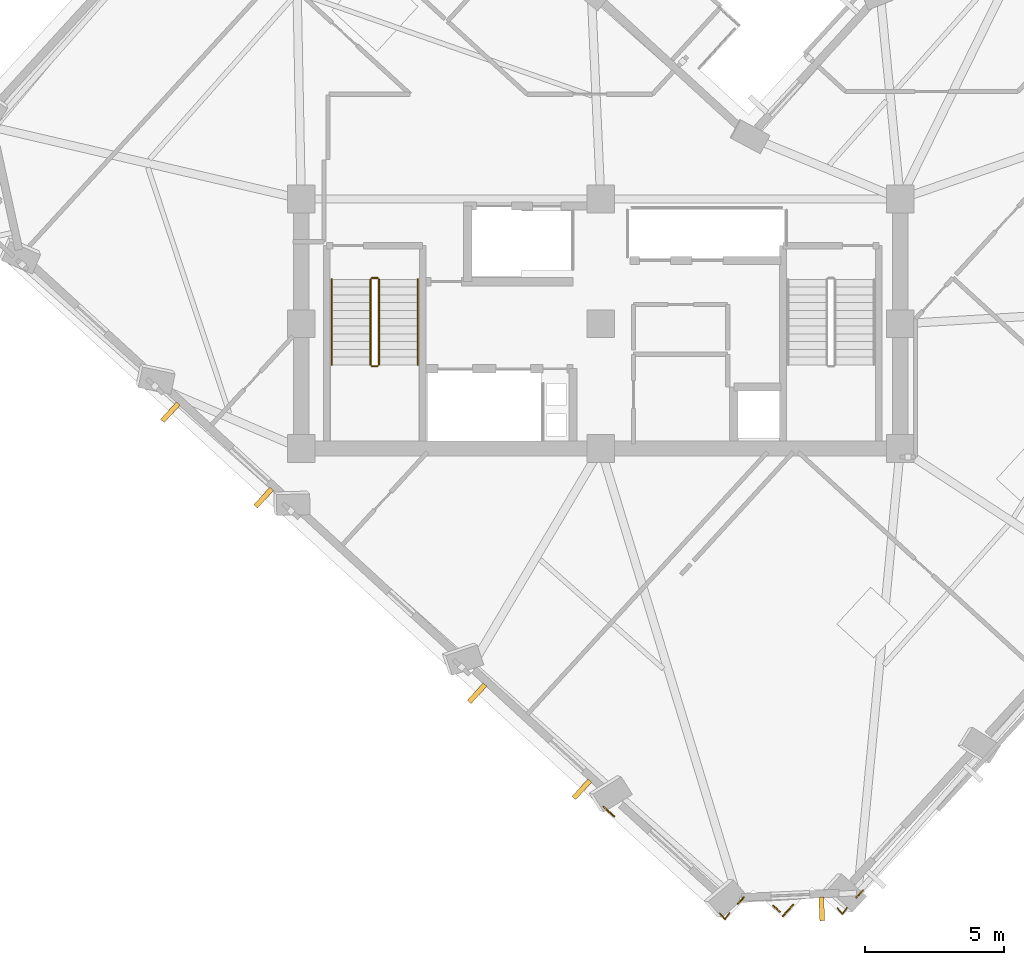
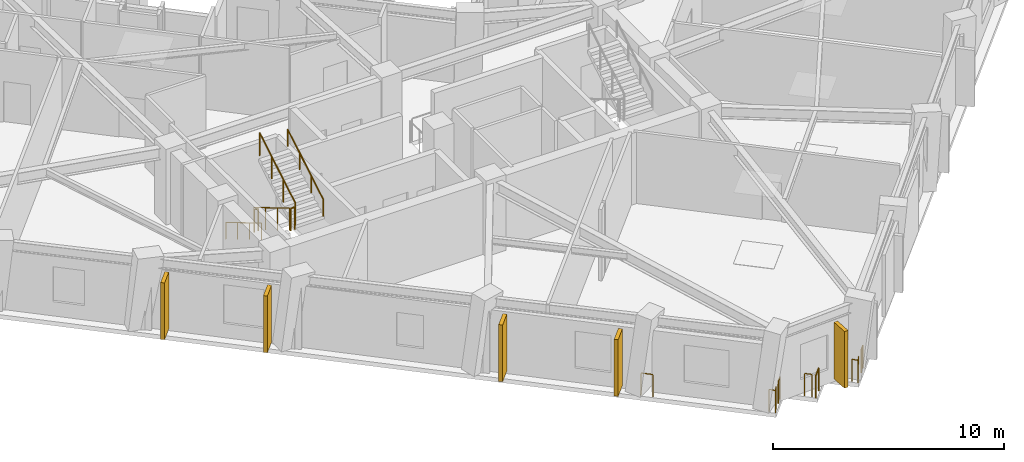
# One storey, part 9 of 12: 13 railings, 5 shading devices.
"""IFC4 building model written with IfcOpenShell, lengths in metres."""

from ifc_helpers import new_model, si_unit, direction, frame, origin, origin_2d, place, context, subcontext, project, spatial, rectangle, circle, extrude, material, layer, layer_set, type_object, element, save


model = new_model("IFC4")

# Units and contexts
model_context = context("Model", 3, precision=1e-05, world=origin(), true_north=direction((0.0, 1.0)))
body_context = subcontext(model_context, "Body", "Model", "MODEL_VIEW")
ifc_project = project(units=[si_unit("LENGTHUNIT", "METRE"), si_unit("AREAUNIT", "SQUARE_METRE"), si_unit("VOLUMEUNIT", "CUBIC_METRE"), si_unit("PLANEANGLEUNIT", "RADIAN"), si_unit("MASSUNIT", "GRAM", prefix="KILO")], contexts=[model_context])

# Site, building, storey
site_placement = place(None, origin())
site = spatial("IfcSite", under=ifc_project, at=site_placement, CompositionType="ELEMENT")
building_placement = place(site_placement, origin())
building = spatial("IfcBuilding", under=site, at=building_placement, Name="Gaonmaruhae Medical Tower", CompositionType="ELEMENT")
storey_placement = place(building_placement, frame((0.0, 0.0, 227.199951171875)))
storey = spatial("IfcBuildingStorey", under=building, at=storey_placement, Name="L54", CompositionType="ELEMENT", Elevation=227.199951171875)

# Railings
ifc_material_1 = material(Name="Stainless steel 316L and laminated safety glass", Category="steel")
ifc_layer = layer(ifc_material_1, 0.080078125)
ifc_layer_set = layer_set([ifc_layer], Name="Stainless steel 316L and laminated safety glass")
railing_type_1 = type_object("IfcRailingType", Name="GD-120 Outdoor Terrace Safety Glass & Steel Balustrade", PredefinedType="BALUSTRADE", material=ifc_layer_set)
railing_1_placement = place(storey_placement, frame((34.25146484375, -8.1337890625, 0.0)))
element("IfcRailing", 1, at=railing_1_placement, inside=storey, type_object=railing_type_1, Name="L54 Perimeter Slab Edge Safety Balustrade 03", PredefinedType="BALUSTRADE", context=body_context, shape_type="SweptSolid", body=[
    extrude(circle(Radius=0.02392578125, at=origin_2d()), frame((0.0, 0.0, 1.17578125), z_axis=(-0.675529349441, -0.737333098432, 0.0), x_axis=(0.737333098432, -0.675529349441, 0.0)), (0.0, 0.0, 1.0), 0.33984375),
    extrude(circle(Radius=0.02099609375, at=origin_2d()), origin(), (0.0, 0.0, 1.0), 1.15185546875),
    extrude(circle(Radius=0.02099609375, at=origin_2d()), frame((-0.2294921875, -0.25048828125, 0.0)), (0.0, 0.0, 1.0), 1.15185546875),
])
railing_2_placement = place(storey_placement, frame((31.7412109375, -8.653076171875, 0.0)))
element("IfcRailing", 2, at=railing_2_placement, inside=storey, type_object=railing_type_1, Name="L54 Perimeter Slab Edge Safety Balustrade 04", PredefinedType="BALUSTRADE", context=body_context, shape_type="SweptSolid", body=[
    extrude(circle(Radius=0.02392578125, at=origin_2d()), frame((0.0, 0.0, 1.17578125), z_axis=(-0.675704887658, -0.737172235502, 0.0), x_axis=(0.737172235502, -0.675704887658, 0.0)), (0.0, 0.0, 1.0), 0.56005859375),
    extrude(circle(Radius=0.02099609375, at=origin_2d()), origin(), (0.0, 0.0, 1.0), 1.15185546875),
    extrude(circle(Radius=0.02099609375, at=origin_2d()), frame((-0.37841796875, -0.412841796875, 0.0)), (0.0, 0.0, 1.0), 1.15185546875),
])
railing_3_placement = place(storey_placement, frame((31.261474609375, -8.905029296875, 0.0)))
element("IfcRailing", 3, at=railing_3_placement, inside=storey, type_object=railing_type_1, Name="L54 Perimeter Slab Edge Safety Balustrade 05", PredefinedType="BALUSTRADE", context=body_context, shape_type="SweptSolid", body=[
    extrude(circle(Radius=0.02392578125, at=origin_2d()), frame((0.0, 0.0, 1.17578125), z_axis=(-0.737433199816, 0.67542007359, 0.0), x_axis=(-0.67542007359, -0.737433199816, 0.0)), (0.0, 0.0, 1.0), 0.32666015625),
    extrude(circle(Radius=0.02099609375, at=origin_2d()), origin(), (0.0, 0.0, 1.0), 1.15185546875),
    extrude(circle(Radius=0.02099609375, at=origin_2d()), frame((-0.240966796875, 0.220703125, 0.0)), (0.0, 0.0, 1.0), 1.15185546875),
])
railing_4_placement = place(storey_placement, frame((29.959716796875, -8.376953125, 0.0)))
element("IfcRailing", 4, at=railing_4_placement, inside=storey, type_object=railing_type_1, Name="L54 Perimeter Slab Edge Safety Balustrade 06", PredefinedType="BALUSTRADE", context=body_context, shape_type="SweptSolid", body=[
    extrude(circle(Radius=0.02392578125, at=origin_2d()), frame((0.0, 0.0, 1.17578125), z_axis=(-0.675792329023, -0.737092075682, 0.0), x_axis=(0.737092075682, -0.675792329023, 0.0)), (0.0, 0.0, 1.0), 0.32666015625),
    extrude(circle(Radius=0.02099609375, at=origin_2d()), origin(), (0.0, 0.0, 1.0), 1.15185546875),
    extrude(circle(Radius=0.02099609375, at=origin_2d()), frame((-0.220703125, -0.24072265625, 0.0)), (0.0, 0.0, 1.0), 1.15185546875),
])
railing_5_placement = place(storey_placement, frame((25.284912109375, -5.46337890625, 0.0)))
element("IfcRailing", 5, at=railing_5_placement, inside=storey, type_object=railing_type_1, Name="L54 Perimeter Slab Edge Safety Balustrade 07", PredefinedType="BALUSTRADE", context=body_context, shape_type="SweptSolid", body=[
    extrude(circle(Radius=0.02392578125, at=origin_2d()), frame((0.0, 0.0, 1.17578125), z_axis=(-0.737251780571, 0.675618096298, 0.0), x_axis=(-0.675618096298, -0.737251780571, 0.0)), (0.0, 0.0, 1.0), 0.518798828125),
    extrude(circle(Radius=0.02099609375, at=origin_2d()), origin(), (0.0, 0.0, 1.0), 1.15185546875),
    extrude(circle(Radius=0.02099609375, at=origin_2d()), frame((-0.382568359375, 0.3505859375, 0.0)), (0.0, 0.0, 1.0), 1.15185546875),
])
railing_6_placement = place(storey_placement, frame((33.684814453125, -8.752197265625, 0.0)))
element("IfcRailing", 6, at=railing_6_placement, inside=storey, type_object=railing_type_1, Name="L54 Perimeter Corner Safety Balustrade 10", PredefinedType="BALUSTRADE", context=body_context, shape_type="SweptSolid", body=[
    extrude(circle(Radius=0.02392578125, at=origin_2d()), frame((0.0, 0.0, 1.17578125), z_axis=(-0.580514359689, -0.814250009637, 0.0), x_axis=(0.814250009637, -0.580514359689, 0.0)), (0.0, 0.0, 1.0), 0.287353515625),
    extrude(circle(Radius=0.02392578125, at=origin_2d()), frame((-0.166748046875, -0.23388671875, 1.17578125), z_axis=(-0.649250390181, 0.760574737189, 0.0), x_axis=(-0.760574737189, -0.649250390181, 0.0)), (0.0, 0.0, 1.0), 0.287353515625),
    extrude(circle(Radius=0.02099609375, at=origin_2d()), origin(), (0.0, 0.0, 1.0), 1.15185546875),
    extrude(circle(Radius=0.02099609375, at=origin_2d()), frame((-0.166748046875, -0.23388671875, 0.0)), (0.0, 0.0, 1.0), 1.15185546875),
    extrude(circle(Radius=0.02099609375, at=origin_2d()), frame((-0.353271484375, -0.015380859375, 0.0)), (0.0, 0.0, 1.0), 1.15185546875),
])
railing_7_placement = place(storey_placement, frame((29.4462890625, -8.937255859375, 0.0)))
element("IfcRailing", 7, at=railing_7_placement, inside=storey, type_object=railing_type_1, Name="L54 Perimeter Corner Safety Balustrade 11", PredefinedType="BALUSTRADE", context=body_context, shape_type="SweptSolid", body=[
    extrude(circle(Radius=0.02392578125, at=origin_2d()), frame((0.0, 0.0, 1.17578125), z_axis=(-0.581077460783, -0.813848256477, 0.0), x_axis=(0.813848256477, -0.581077460783, 0.0)), (0.0, 0.0, 1.0), 0.287353515625),
    extrude(circle(Radius=0.02392578125, at=origin_2d()), frame((-0.1669921875, -0.23388671875, 1.17578125), z_axis=(-0.648758393581, 0.760994445944, 0.0), x_axis=(-0.760994445944, -0.648758393581, 0.0)), (0.0, 0.0, 1.0), 0.287109375),
    extrude(circle(Radius=0.02099609375, at=origin_2d()), origin(), (0.0, 0.0, 1.0), 1.15185546875),
    extrude(circle(Radius=0.02099609375, at=origin_2d()), frame((-0.1669921875, -0.23388671875, 0.0)), (0.0, 0.0, 1.0), 1.15185546875),
    extrude(circle(Radius=0.02099609375, at=origin_2d()), frame((-0.353271484375, -0.015380859375, 0.0)), (0.0, 0.0, 1.0), 1.15185546875),
])
ifc_material_2 = material(Name="Stainless steel 304 handrail", Category="steel")
railing_type_2 = type_object("IfcRailingType", Name="HR-092 Continuous Stainless Steel Stair Handrail", PredefinedType="HANDRAIL", material=ifc_material_2)
railing_8_placement = place(storey_placement, frame((15.10009765625, 13.89990234375, 0.166748046875)))
element("IfcRailing", 8, at=railing_8_placement, inside=storey, type_object=railing_type_2, Name="L54 ST-01 stair handrail 1", PredefinedType="HANDRAIL", context=body_context, shape_type="SweptSolid", body=[
    extrude(circle(Radius=0.02392578125, at=origin_2d()), frame((0.0, 0.0, 0.8759765625), z_axis=(0.0, -0.859290745958, 0.51148745235), x_axis=(1.0, 0.0, 0.0)), (0.0, 0.0, 1.0), 3.584228515625),
    extrude(circle(Radius=0.02099609375, at=origin_2d()), origin(), (0.0, 0.0, 1.0), 0.851806640625),
    extrude(circle(Radius=0.02099609375, at=origin_2d()), frame((0.0, -1.026611328125, 0.611083984375)), (0.0, 0.0, 1.0), 0.851806640625),
    extrude(circle(Radius=0.02099609375, at=origin_2d()), frame((0.0, -2.05322265625, 1.22216796875)), (0.0, 0.0, 1.0), 0.851806640625),
    extrude(circle(Radius=0.02099609375, at=origin_2d()), frame((0.0, -3.079833984375, 1.833251953125)), (0.0, 0.0, 1.0), 0.851806640625),
])
railing_9_placement = place(storey_placement, frame((18.199951171875, 10.820068359375, 2.166748046875)))
element("IfcRailing", 9, at=railing_9_placement, inside=storey, type_object=railing_type_2, Name="L54 ST-01 stair handrail 2", PredefinedType="HANDRAIL", context=body_context, shape_type="SweptSolid", body=[
    extrude(circle(Radius=0.02392578125, at=origin_2d()), frame((0.0, 0.0, 0.8759765625), z_axis=(0.0, 0.859290745958, 0.51148745235), x_axis=(-1.0, 0.0, 0.0)), (0.0, 0.0, 1.0), 3.584228515625),
    extrude(circle(Radius=0.02099609375, at=origin_2d()), origin(), (0.0, 0.0, 1.0), 0.851806640625),
    extrude(circle(Radius=0.02099609375, at=origin_2d()), frame((0.0, 1.026611328125, 0.611083984375)), (0.0, 0.0, 1.0), 0.851806640625),
    extrude(circle(Radius=0.02099609375, at=origin_2d()), frame((0.0, 2.05322265625, 1.22216796875)), (0.0, 0.0, 1.0), 0.851806640625),
    extrude(circle(Radius=0.02099609375, at=origin_2d()), frame((0.0, 3.079833984375, 1.833251953125)), (0.0, 0.0, 1.0), 0.851806640625),
])

# Shading devices
ifc_material_3 = material(Name="Pigmented coral precast concrete C45/55", Category="concrete")
shading_device_type = type_object("IfcShadingDeviceType", Name="SD-FIN1 Tower Vertical Coral Precast Shading Fin", PredefinedType="USERDEFINED", material=ifc_material_3)
for number, where, z_axis, x_axis, name in (
    (10, (12.64501953125, 6.031005859375, 0.08251953125), (0.0, 0.0, 1.0), (-0.73727733681, 0.675590207616, 0.0), "L54 Vertical Coral Precast Shading Fin W02"),
    (11, (9.2822265625, 9.1123046875, 0.08251953125), (0.0, 0.0, 1.0), (-0.73727733681, 0.675590207616, 0.0), "L54 Vertical Coral Precast Shading Fin W02B"),
    (12, (24.12109375, -4.48486328125, 0.132568359375), (0.0, 0.0, 1.0), (-0.73727733681, 0.675590207616, 0.0), "L54 Vertical Coral Precast Shading Fin W04"),
    (13, (20.34228515625, -1.0224609375, 0.132568359375), (0.0, 0.0, 1.0), (-0.73727733681, 0.675590207616, 0.0), "L54 Vertical Coral Precast Shading Fin W04B"),
    (14, (32.770751953125, -8.7998046875, 0.132568359375), (0.0, 0.0, 1.0), (-0.999048982732, -0.043601950678, 0.0), "L54 Vertical Coral Precast Shading Fin W06"),
):
    element("IfcShadingDevice", number, at=place(storey_placement, frame(where, z_axis=z_axis, x_axis=x_axis)), inside=storey, type_object=shading_device_type, Name=name, ObjectType="FIN", PredefinedType="USERDEFINED", context=body_context, shape_type="SweptSolid", body=[
        extrude(rectangle(XDim=0.179931640625, YDim=0.85009765625, at=origin_2d()), origin(), (0.0, 0.0, 1.0), 3.0),
    ])

# Railings
ifc_material_4 = material(Name="Stainless steel 304 balustrade", Category="steel")
railing_type_3 = type_object("IfcRailingType", Name="SG-112 Stair Well & Ramp Void Safety Balustrade", PredefinedType="BALUSTRADE", material=ifc_material_4)
railing_10_placement = place(storey_placement, frame((16.5, 13.89990234375, 0.166748046875)))
element("IfcRailing", 15, at=railing_10_placement, inside=storey, type_object=railing_type_3, Name="L54 ST-01 stair guard 1", PredefinedType="BALUSTRADE", context=body_context, shape_type="SweptSolid", body=[
    extrude(circle(Radius=0.02392578125, at=origin_2d()), frame((0.0, 0.0, 1.17578125), z_axis=(0.0, -0.859290745958, 0.51148745235), x_axis=(1.0, 0.0, 0.0)), (0.0, 0.0, 1.0), 3.584228515625),
    extrude(circle(Radius=0.02099609375, at=origin_2d()), origin(), (0.0, 0.0, 1.0), 1.15185546875),
    extrude(circle(Radius=0.02099609375, at=origin_2d()), frame((0.0, -1.026611328125, 0.611083984375)), (0.0, 0.0, 1.0), 1.15185546875),
    extrude(circle(Radius=0.02099609375, at=origin_2d()), frame((0.0, -2.05322265625, 1.22216796875)), (0.0, 0.0, 1.0), 1.15185546875),
    extrude(circle(Radius=0.02099609375, at=origin_2d()), frame((0.0, -3.079833984375, 1.833251953125)), (0.0, 0.0, 1.0), 1.15185546875),
])
railing_11_placement = place(storey_placement, frame((16.550048828125, 10.77001953125, 2.0)))
element("IfcRailing", 16, at=railing_11_placement, inside=storey, type_object=railing_type_3, Name="L54 ST-01 stair guard 2", PredefinedType="BALUSTRADE", context=body_context, shape_type="SweptSolid", body=[
    extrude(circle(Radius=0.02392578125, at=origin_2d()), frame((0.0, 0.0, 1.17578125), z_axis=(1.0, 0.0, 0.0), x_axis=(0.0, 1.0, 0.0)), (0.0, 0.0, 1.0), 0.199951171875),
    extrude(circle(Radius=0.02099609375, at=origin_2d()), origin(), (0.0, 0.0, 1.0), 1.15185546875),
    extrude(circle(Radius=0.02099609375, at=origin_2d()), frame((0.199951171875, 0.0, 0.0)), (0.0, 0.0, 1.0), 1.15185546875),
])
railing_12_placement = place(storey_placement, frame((16.800048828125, 10.820068359375, 2.166748046875)))
element("IfcRailing", 17, at=railing_12_placement, inside=storey, type_object=railing_type_3, Name="L54 ST-01 stair guard 3", PredefinedType="BALUSTRADE", context=body_context, shape_type="SweptSolid", body=[
    extrude(circle(Radius=0.02392578125, at=origin_2d()), frame((0.0, 0.0, 1.17578125), z_axis=(0.0, 0.859290745958, 0.51148745235), x_axis=(-1.0, 0.0, 0.0)), (0.0, 0.0, 1.0), 3.584228515625),
    extrude(circle(Radius=0.02099609375, at=origin_2d()), origin(), (0.0, 0.0, 1.0), 1.15185546875),
    extrude(circle(Radius=0.02099609375, at=origin_2d()), frame((0.0, 1.026611328125, 0.611083984375)), (0.0, 0.0, 1.0), 1.15185546875),
    extrude(circle(Radius=0.02099609375, at=origin_2d()), frame((0.0, 2.05322265625, 1.22216796875)), (0.0, 0.0, 1.0), 1.15185546875),
    extrude(circle(Radius=0.02099609375, at=origin_2d()), frame((0.0, 3.079833984375, 1.833251953125)), (0.0, 0.0, 1.0), 1.15185546875),
])
railing_13_placement = place(storey_placement, frame((16.550048828125, 13.949951171875, 0.0)))
element("IfcRailing", 18, at=railing_13_placement, inside=storey, type_object=railing_type_3, Name="L54 ST-01 stair guard 4", PredefinedType="BALUSTRADE", context=body_context, shape_type="SweptSolid", body=[
    extrude(circle(Radius=0.02392578125, at=origin_2d()), frame((0.0, 0.0, 1.17578125), z_axis=(1.0, 0.0, 0.0), x_axis=(0.0, 1.0, 0.0)), (0.0, 0.0, 1.0), 0.199951171875),
    extrude(circle(Radius=0.02099609375, at=origin_2d()), origin(), (0.0, 0.0, 1.0), 1.15185546875),
    extrude(circle(Radius=0.02099609375, at=origin_2d()), frame((0.199951171875, 0.0, 0.0)), (0.0, 0.0, 1.0), 1.15185546875),
])

save(model, "model.ifc")
